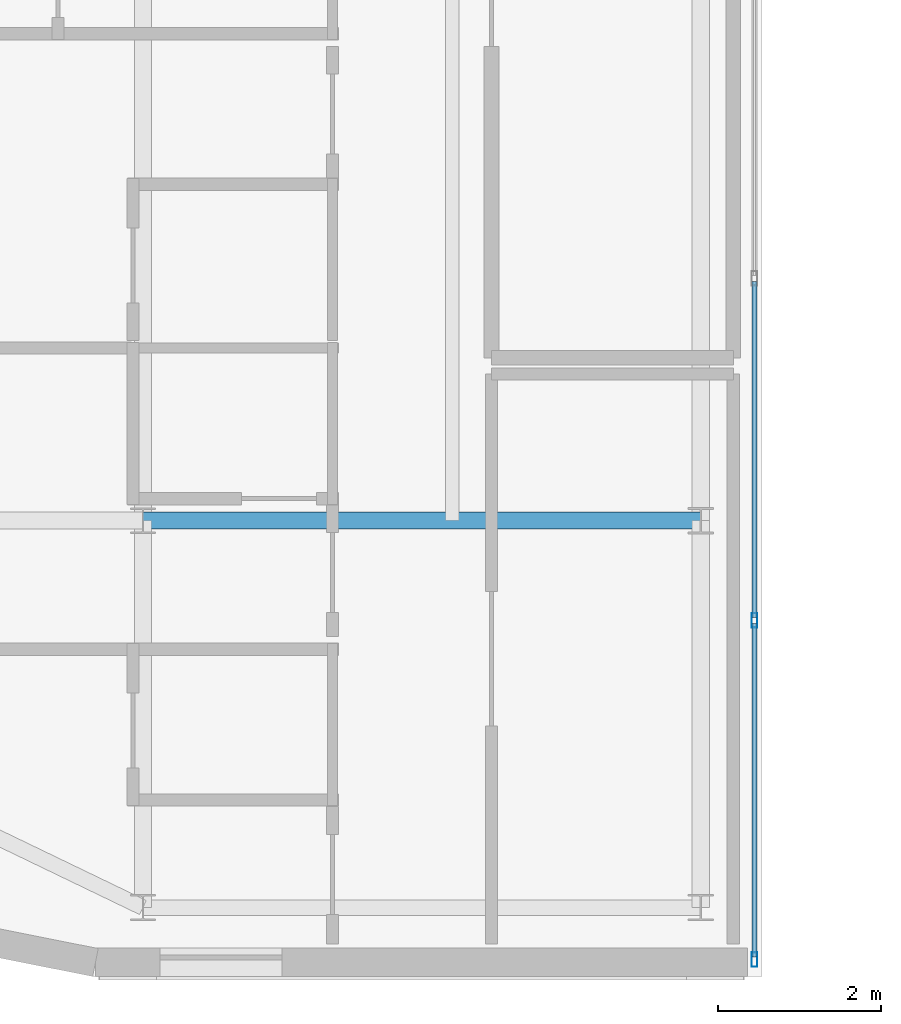
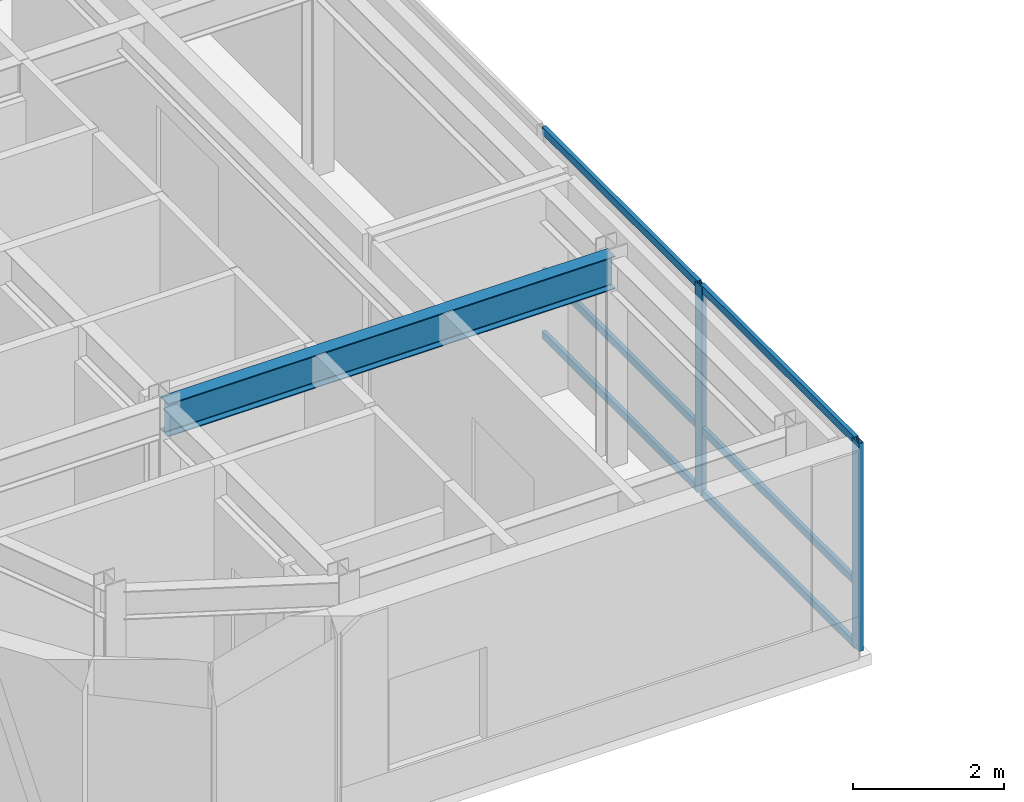
# One storey, part 4 of 21: 8 members, 1 beam, 1 element without a shape of its own.
"""IFC4 building model written with IfcOpenShell, lengths in metres."""

from ifc_helpers import new_model, si_unit, direction, frame, origin, origin_2d, place, context, subcontext, project, spatial, hollow_rectangle, i_section, extrude, source, transform, mapped, material, layer, layer_set, material_profile, profile_set, type_object, type_shapes, element, aggregate, save


model = new_model("IFC4")

# Units and contexts
model_context = context("Model", 3, precision=1e-05, world=origin(), true_north=direction((0.0, 1.0)))
body_context = subcontext(model_context, "Body", "Model", "MODEL_VIEW")
ifc_project = project(units=[si_unit("LENGTHUNIT", "METRE"), si_unit("AREAUNIT", "SQUARE_METRE"), si_unit("VOLUMEUNIT", "CUBIC_METRE"), si_unit("PLANEANGLEUNIT", "RADIAN"), si_unit("MASSUNIT", "GRAM", prefix="KILO")], contexts=[model_context])

# Site, building, storey
site_placement = place(None, origin())
site = spatial("IfcSite", under=ifc_project, at=site_placement, CompositionType="ELEMENT")
building_placement = place(site_placement, origin())
building = spatial("IfcBuilding", under=site, at=building_placement, Name="Tolvann Quenvar Hotel", CompositionType="ELEMENT")
storey_placement = place(building_placement, frame((0.0, 0.0, 262.949951171875)))
storey = spatial("IfcBuildingStorey", under=building, at=storey_placement, Name="L70", CompositionType="ELEMENT", Elevation=262.949951171875)

# Beam
ifc_material_1 = material(Name="Steel Grade 350", Category="steel")
ifc_material_profile_1 = material_profile(ifc_material_1, i_section(OverallWidth=0.208984375, OverallDepth=0.532958984375, WebThickness=0.01025390625, FlangeThickness=0.015625, FilletRadius=0.013916015625, at=origin_2d()), Name="530UB92")
ifc_profile_set_1 = profile_set([ifc_material_profile_1], Name="Steel Grade 350")
beam_type = type_object("IfcBeamType", Name="BM_GIRD_530UB92", PredefinedType="BEAM", material=ifc_profile_set_1)
shared_shape_1 = source(origin(), body_context, "Body", "SweptSolid", [
    extrude(i_section(OverallWidth=0.208984375, OverallDepth=0.532958984375, WebThickness=0.01025390625, FlangeThickness=0.015625, FilletRadius=0.013916015625, at=origin_2d()), origin(), (0.0, 0.0, 1.0), 6.849853515625),
])
type_shapes(beam_type, [shared_shape_1])
beam_placement = place(storey_placement, frame((7.60009765625, 8.199951171875, 3.103515625), z_axis=(1.0, 0.0, 0.0), x_axis=(0.0, 1.0, 0.0)))
element("IfcBeam", 1, at=beam_placement, inside=storey, type_object=beam_type, Name="BM-L70-EW-3-C3-D3", PredefinedType="BEAM", context=body_context, shape_type="MappedRepresentation", body=[
    mapped(shared_shape_1, transform((0.0, 0.0, 0.0), x_axis=(1.0, 0.0, 0.0), y_axis=(0.0, 1.0, 0.0), z_axis=(0.0, 0.0, 1.0), scale=1.0)),
])

# Curtain wall, members
ifc_material_2 = material(Name="Thermally broken anodised architectural aluminium 6063-T6 and laminated low-E glass", Category="aluminium")
ifc_layer = layer(ifc_material_2, 0.179931640625)
ifc_layer_set = layer_set([ifc_layer], Name="Thermally broken anodised architectural aluminium 6063-T6 and laminated low-E glass")
curtain_wall_type = type_object("IfcCurtainWallType", Name="CW_SYS_PORTAL_05", PredefinedType="USERDEFINED", material=ifc_layer_set)
curtain_wall_placement = place(storey_placement, origin())
curtain_wall = element("IfcCurtainWall", 2, at=curtain_wall_placement, inside=storey, type_object=curtain_wall_type, Name="Curtain Wall CW-PORTAL-05 (CWR-L70-E05)", ObjectType="UNITISED CURTAIN WALL", PredefinedType="USERDEFINED")
ifc_material_3 = material(Name="Anodised architectural aluminium 6063-T6 framing", Category="aluminium")
ifc_material_profile_2 = material_profile(ifc_material_3, hollow_rectangle(XDim=0.070068359375, YDim=0.179931640625, WallThickness=0.00390625, at=origin_2d()), Name="180x70x4RHS")
ifc_profile_set_2 = profile_set([ifc_material_profile_2], Name="Anodised architectural aluminium 6063-T6 framing")
member_type_1 = type_object("IfcMemberType", Name="CW_MULL_180x70", PredefinedType="MULLION", material=ifc_profile_set_2)
shared_shape_2 = source(origin(), body_context, "Body", "SweptSolid", [
    extrude(hollow_rectangle(XDim=0.070068359375, YDim=0.179931640625, WallThickness=0.00390625, at=origin_2d()), origin(), (0.0, 0.0, 1.0), 3.3701171875),
])
type_shapes(member_type_1, [shared_shape_2])
member_1_placement = place(storey_placement, frame((15.110107421875, 2.81005859375, 0.0), z_axis=(0.0, 0.0, 1.0), x_axis=(-1.0, 0.0, 0.0)))
member_1 = element("IfcMember", 3, at=member_1_placement, type_object=member_type_1, Name="CW-PORTAL-05 mullion 1", PredefinedType="MULLION", context=body_context, shape_type="MappedRepresentation", body=[
    mapped(shared_shape_2, transform((0.0, 0.0, 0.0), x_axis=(1.0, 0.0, 0.0), y_axis=(0.0, 1.0, 0.0), z_axis=(0.0, 0.0, 1.0), scale=1.0)),
])
member_2_placement = place(storey_placement, frame((15.110107421875, 6.97509765625, 0.0), z_axis=(0.0, 0.0, 1.0), x_axis=(-1.0, 0.0, 0.0)))
member_2 = element("IfcMember", 4, at=member_2_placement, type_object=member_type_1, Name="CW-PORTAL-05 mullion 2", PredefinedType="MULLION", context=body_context, shape_type="MappedRepresentation", body=[
    mapped(shared_shape_2, transform((0.0, 0.0, 0.0), x_axis=(1.0, 0.0, 0.0), y_axis=(0.0, 1.0, 0.0), z_axis=(0.0, 0.0, 1.0), scale=1.0)),
])
ifc_material_profile_3 = material_profile(ifc_material_3, hollow_rectangle(XDim=0.06005859375, YDim=0.1201171875, WallThickness=0.00341796875, at=origin_2d()), Name="120x60x3.5RHS")
ifc_profile_set_3 = profile_set([ifc_material_profile_3], Name="Anodised architectural aluminium 6063-T6 framing")
member_type_2 = type_object("IfcMemberType", Name="CW_TRAN_120x60", PredefinedType="USERDEFINED", material=ifc_profile_set_3)
shared_shape_3 = source(origin(), body_context, "Body", "SweptSolid", [
    extrude(hollow_rectangle(XDim=0.06005859375, YDim=0.1201171875, WallThickness=0.00341796875, at=origin_2d()), origin(), (0.0, 0.0, 1.0), 4.094970703125),
])
member_3_placement = place(storey_placement, frame((15.110107421875, 2.844970703125, 0.030029296875), z_axis=(0.0, 1.0, 0.0), x_axis=(-1.0, 0.0, 0.0)))
member_3 = element("IfcMember", 5, at=member_3_placement, type_object=member_type_2, Name="CW-PORTAL-05 transom 1.1", ObjectType="TRANSOM", PredefinedType="USERDEFINED", context=body_context, shape_type="MappedRepresentation", body=[
    mapped(shared_shape_3, transform((0.0, 0.0, 0.0), x_axis=(1.0, 0.0, 0.0), y_axis=(0.0, 1.0, 0.0), z_axis=(0.0, 0.0, 1.0), scale=1.0)),
])
member_4_placement = place(storey_placement, frame((15.110107421875, 2.844970703125, 1.050048828125), z_axis=(0.0, 1.0, 0.0), x_axis=(-1.0, 0.0, 0.0)))
member_4 = element("IfcMember", 6, at=member_4_placement, type_object=member_type_2, Name="CW-PORTAL-05 transom 1.2", ObjectType="TRANSOM", PredefinedType="USERDEFINED", context=body_context, shape_type="MappedRepresentation", body=[
    mapped(shared_shape_3, transform((0.0, 0.0, 0.0), x_axis=(1.0, 0.0, 0.0), y_axis=(0.0, 1.0, 0.0), z_axis=(0.0, 0.0, 1.0), scale=1.0)),
])
member_5_placement = place(storey_placement, frame((15.110107421875, 2.844970703125, 3.340087890625), z_axis=(0.0, 1.0, 0.0), x_axis=(-1.0, 0.0, 0.0)))
member_5 = element("IfcMember", 7, at=member_5_placement, type_object=member_type_2, Name="CW-PORTAL-05 transom 1.3", ObjectType="TRANSOM", PredefinedType="USERDEFINED", context=body_context, shape_type="MappedRepresentation", body=[
    mapped(shared_shape_3, transform((0.0, 0.0, 0.0), x_axis=(1.0, 0.0, 0.0), y_axis=(0.0, 1.0, 0.0), z_axis=(0.0, 0.0, 1.0), scale=1.0)),
])
shared_shape_4 = source(origin(), body_context, "Body", "SweptSolid", [
    extrude(hollow_rectangle(XDim=0.06005859375, YDim=0.1201171875, WallThickness=0.00341796875, at=origin_2d()), origin(), (0.0, 0.0, 1.0), 4.1298828125),
])
type_shapes(member_type_2, [shared_shape_3, shared_shape_4])
member_6_placement = place(storey_placement, frame((15.110107421875, 7.010009765625, 0.030029296875), z_axis=(0.0, 1.0, 0.0), x_axis=(-1.0, 0.0, 0.0)))
member_6 = element("IfcMember", 8, at=member_6_placement, type_object=member_type_2, Name="CW-PORTAL-05 transom 2.1", ObjectType="TRANSOM", PredefinedType="USERDEFINED", context=body_context, shape_type="MappedRepresentation", body=[
    mapped(shared_shape_4, transform((0.0, 0.0, 0.0), x_axis=(1.0, 0.0, 0.0), y_axis=(0.0, 1.0, 0.0), z_axis=(0.0, 0.0, 1.0), scale=1.0)),
])
member_7_placement = place(storey_placement, frame((15.110107421875, 7.010009765625, 1.050048828125), z_axis=(0.0, 1.0, 0.0), x_axis=(-1.0, 0.0, 0.0)))
member_7 = element("IfcMember", 9, at=member_7_placement, type_object=member_type_2, Name="CW-PORTAL-05 transom 2.2", ObjectType="TRANSOM", PredefinedType="USERDEFINED", context=body_context, shape_type="MappedRepresentation", body=[
    mapped(shared_shape_4, transform((0.0, 0.0, 0.0), x_axis=(1.0, 0.0, 0.0), y_axis=(0.0, 1.0, 0.0), z_axis=(0.0, 0.0, 1.0), scale=1.0)),
])
member_8_placement = place(storey_placement, frame((15.110107421875, 7.010009765625, 3.340087890625), z_axis=(0.0, 1.0, 0.0), x_axis=(-1.0, 0.0, 0.0)))
member_8 = element("IfcMember", 10, at=member_8_placement, type_object=member_type_2, Name="CW-PORTAL-05 transom 2.3", ObjectType="TRANSOM", PredefinedType="USERDEFINED", context=body_context, shape_type="MappedRepresentation", body=[
    mapped(shared_shape_4, transform((0.0, 0.0, 0.0), x_axis=(1.0, 0.0, 0.0), y_axis=(0.0, 1.0, 0.0), z_axis=(0.0, 0.0, 1.0), scale=1.0)),
])
aggregate(curtain_wall, [member_1, member_2, member_3, member_4, member_5, member_6, member_7, member_8])

save(model, "model.ifc")
